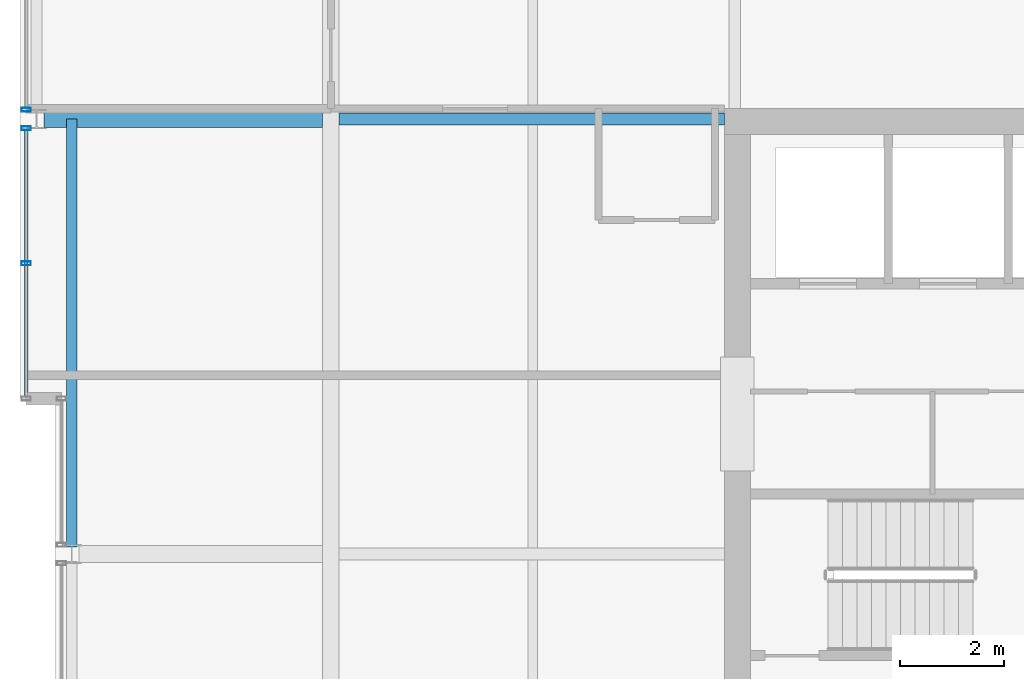
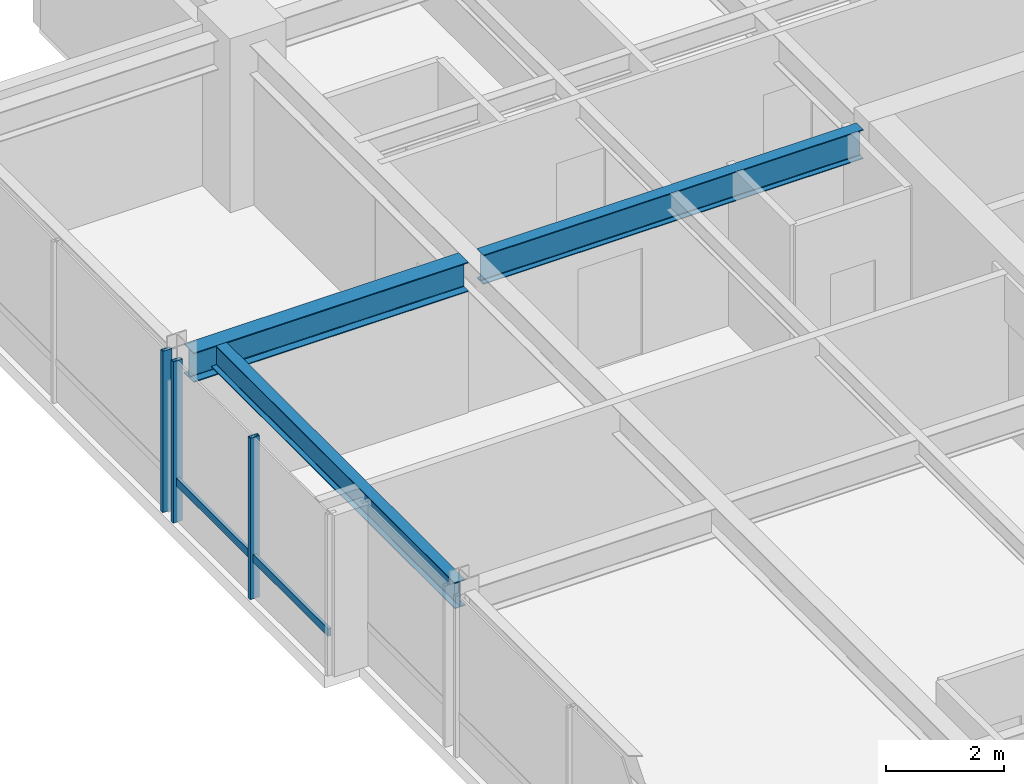
# One storey, part 17 of 31: 4 members, 3 beams, 2 elements without a shape of their own.
"""IFC4 building model written with IfcOpenShell, lengths in metres."""

from ifc_helpers import new_model, si_unit, direction, frame, origin, origin_2d, place, context, subcontext, project, spatial, hollow_rectangle, i_section, extrude, material, layer, layer_set, material_profile, profile_set, type_object, element, aggregate, save


model = new_model("IFC4")

# Units and contexts
model_context = context("Model", 3, precision=1e-05, world=origin(), true_north=direction((0.0, 1.0)))
body_context = subcontext(model_context, "Body", "Model", "MODEL_VIEW")
ifc_project = project(units=[si_unit("LENGTHUNIT", "METRE"), si_unit("AREAUNIT", "SQUARE_METRE"), si_unit("VOLUMEUNIT", "CUBIC_METRE"), si_unit("PLANEANGLEUNIT", "RADIAN"), si_unit("MASSUNIT", "GRAM", prefix="KILO")], contexts=[model_context])

# Site, building, storey
site_placement = place(None, origin())
site = spatial("IfcSite", under=ifc_project, at=site_placement, CompositionType="ELEMENT")
building_placement = place(site_placement, origin())
building = spatial("IfcBuilding", under=site, at=building_placement, Name="Drelvath Grand Hotel", CompositionType="ELEMENT")
storey_placement = place(building_placement, frame((0.0, 0.0, 244.699951171875)))
storey = spatial("IfcBuildingStorey", under=building, at=storey_placement, Name="L64", CompositionType="ELEMENT", Elevation=244.699951171875)

# Curtain wall, members
ifc_material_1 = material(Name="Platinum-Mist Anodised Aluminium Frame", Category="aluminium")
ifc_layer = layer(ifc_material_1, 0.199951171875)
ifc_layer_set = layer_set([ifc_layer], Name="Platinum-Mist Anodised Aluminium Frame")
curtain_wall_type = type_object("IfcCurtainWallType", Name="Stick Curtain Wall CW-05 Platinum Mist High-Rise", PredefinedType="NOTDEFINED", material=ifc_layer_set)
curtain_wall_1_placement = place(storey_placement, origin())
curtain_wall_1 = element("IfcCurtainWall", 1, at=curtain_wall_1_placement, inside=storey, type_object=curtain_wall_type, Name="L64 CW-05 Curtain Wall CW05-L64-WN1", PredefinedType="NOTDEFINED")
ifc_material_profile_1 = material_profile(ifc_material_1, hollow_rectangle(XDim=0.06494140625, YDim=0.159912109375, WallThickness=0.00390625, at=origin_2d()), Name="HSS160X65X4")
ifc_profile_set_1 = profile_set([ifc_material_profile_1], Name="Platinum-Mist Anodised Aluminium Frame")
member_type_1 = type_object("IfcMemberType", Name="Curtain Wall Horizontal Transom CW-05 HSS160X65X4", PredefinedType="USERDEFINED", material=ifc_profile_set_1)
member_1_placement = place(storey_placement, frame((-22.080078125, 30.0400390625, 0.8349609375), z_axis=(0.0, 1.0, 0.0), x_axis=(-1.0, 0.0, 0.0)))
member_1 = element("IfcMember", 2, at=member_1_placement, type_object=member_type_1, Name="CW05-L64-WN1 Sill Transom", ObjectType="TRANSOM", PredefinedType="USERDEFINED", context=body_context, shape_type="SweptSolid", body=[
    extrude(hollow_rectangle(XDim=0.06494140625, YDim=0.159912109375, WallThickness=0.00390625, at=origin_2d()), origin(), (0.0, 0.0, 1.0), 5.141845703125),
])
ifc_material_profile_2 = material_profile(ifc_material_1, hollow_rectangle(XDim=0.074951171875, YDim=0.179931640625, WallThickness=0.0048828125, at=origin_2d()), Name="HSS180X75X5")
ifc_profile_set_2 = profile_set([ifc_material_profile_2], Name="Platinum-Mist Anodised Aluminium Frame")
member_type_2 = type_object("IfcMemberType", Name="Curtain Wall Vertical Mullion CW-05 HSS180X75X5", PredefinedType="MULLION", material=ifc_profile_set_2)
member_2_placement = place(storey_placement, frame((-22.080078125, 32.61083984375, 0.0), z_axis=(0.0, 0.0, 1.0), x_axis=(0.0, 1.0, 0.0)))
member_2 = element("IfcMember", 3, at=member_2_placement, type_object=member_type_2, Name="CW05-L64-WN1 Mullion 2", PredefinedType="MULLION", context=body_context, shape_type="SweptSolid", body=[
    extrude(hollow_rectangle(XDim=0.074951171875, YDim=0.179931640625, WallThickness=0.0048828125, at=origin_2d()), origin(), (0.0, 0.0, 1.0), 3.340087890625),
])
member_3_placement = place(storey_placement, frame((-22.080078125, 35.2216796875, 0.0), z_axis=(0.0, 0.0, 1.0), x_axis=(0.0, 1.0, 0.0)))
member_3 = element("IfcMember", 4, at=member_3_placement, type_object=member_type_2, Name="CW05-L64-WN1 Mullion 3", PredefinedType="MULLION", context=body_context, shape_type="SweptSolid", body=[
    extrude(hollow_rectangle(XDim=0.074951171875, YDim=0.179931640625, WallThickness=0.0048828125, at=origin_2d()), origin(), (0.0, 0.0, 1.0), 3.340087890625),
])
aggregate(curtain_wall_1, [member_2, member_3, member_1])

# Curtain wall, member
curtain_wall_2_placement = place(storey_placement, origin())
curtain_wall_2 = element("IfcCurtainWall", 5, at=curtain_wall_2_placement, inside=storey, type_object=curtain_wall_type, Name="L64 CW-05 Curtain Wall CW05-L64-WN2", PredefinedType="NOTDEFINED")
member_4_placement = place(storey_placement, frame((-22.080078125, 35.578125, 0.0), z_axis=(0.0, 0.0, 1.0), x_axis=(0.0, 1.0, 0.0)))
member_4 = element("IfcMember", 6, at=member_4_placement, type_object=member_type_2, Name="CW05-L64-WN2 Mullion 1", PredefinedType="MULLION", context=body_context, shape_type="SweptSolid", body=[
    extrude(hollow_rectangle(XDim=0.074951171875, YDim=0.179931640625, WallThickness=0.0048828125, at=origin_2d()), origin(), (0.0, 0.0, 1.0), 3.340087890625),
])
aggregate(curtain_wall_2, [member_4])

# Beams
ifc_material_2 = material(Name="Steel ASTM A992 Gr 50", Category="steel")
ifc_material_profile_3 = material_profile(ifc_material_2, i_section(OverallWidth=0.210205078125, OverallDepth=0.53662109375, WebThickness=0.010986328125, FlangeThickness=0.017333984375, FilletRadius=0.01806640625, at=origin_2d()), Name="W21X68")
ifc_profile_set_3 = profile_set([ifc_material_profile_3], Name="Steel ASTM A992 Gr 50")
beam_type_1 = type_object("IfcBeamType", Name="Perimeter Spandrel Beam W21X68", PredefinedType="SPANDREL", material=ifc_profile_set_3)
beam_1_placement = place(storey_placement, frame((-21.199951171875, 27.139892578125, 3.071533203125), z_axis=(0.0, 1.0, 0.0), x_axis=(-1.0, 0.0, 0.0)))
element("IfcBeam", 7, at=beam_1_placement, inside=storey, type_object=beam_type_1, Name="L64 Spandrel West Mid N", PredefinedType="SPANDREL", context=body_context, shape_type="SweptSolid", body=[
    extrude(i_section(OverallWidth=0.210205078125, OverallDepth=0.53662109375, WebThickness=0.010986328125, FlangeThickness=0.017333984375, FilletRadius=0.01806640625, at=origin_2d()), origin(), (0.0, 0.0, 1.0), 8.260009765625),
])
ifc_material_profile_4 = material_profile(ifc_material_2, i_section(OverallWidth=0.323974609375, OverallDepth=0.611083984375, WebThickness=0.0126953125, FlangeThickness=0.01904296875, FilletRadius=0.02197265625, at=origin_2d()), Name="W24X104")
ifc_profile_set_4 = profile_set([ifc_material_profile_4], Name="Steel ASTM A992 Gr 50")
beam_type_2 = type_object("IfcBeamType", Name="Primary Floor Girder W24X104", PredefinedType="BEAM", material=ifc_profile_set_4)
beam_2_placement = place(storey_placement, frame((-21.739990234375, 35.39990234375, 3.034423828125), z_axis=(1.0, 0.0, 0.0), x_axis=(0.0, 1.0, 0.0)))
element("IfcBeam", 8, at=beam_2_placement, inside=storey, type_object=beam_type_2, Name="L64 West Wing Girder F", PredefinedType="BEAM", context=body_context, shape_type="SweptSolid", body=[
    extrude(i_section(OverallWidth=0.323974609375, OverallDepth=0.611083984375, WebThickness=0.0126953125, FlangeThickness=0.01904296875, FilletRadius=0.02197265625, at=origin_2d()), origin(), (0.0, 0.0, 1.0), 5.3779296875),
])
ifc_material_profile_5 = material_profile(ifc_material_2, i_section(OverallWidth=0.228271484375, OverallDepth=0.607666015625, WebThickness=0.01123046875, FlangeThickness=0.017333984375, FilletRadius=0.02001953125, at=origin_2d()), Name="W24X76")
ifc_profile_set_5 = profile_set([ifc_material_profile_5], Name="Steel ASTM A992 Gr 50")
beam_type_3 = type_object("IfcBeamType", Name="Primary Floor Girder W24X76", PredefinedType="BEAM", material=ifc_profile_set_5)
beam_3_placement = place(storey_placement, frame((-16.0380859375, 35.39990234375, 3.0361328125), z_axis=(1.0, 0.0, 0.0), x_axis=(0.0, 1.0, 0.0)))
element("IfcBeam", 9, at=beam_3_placement, inside=storey, type_object=beam_type_3, Name="L64 West Core Tie F", PredefinedType="BEAM", context=body_context, shape_type="SweptSolid", body=[
    extrude(i_section(OverallWidth=0.228271484375, OverallDepth=0.607666015625, WebThickness=0.01123046875, FlangeThickness=0.017333984375, FilletRadius=0.02001953125, at=origin_2d()), origin(), (0.0, 0.0, 1.0), 7.43798828125),
])

save(model, "model.ifc")
